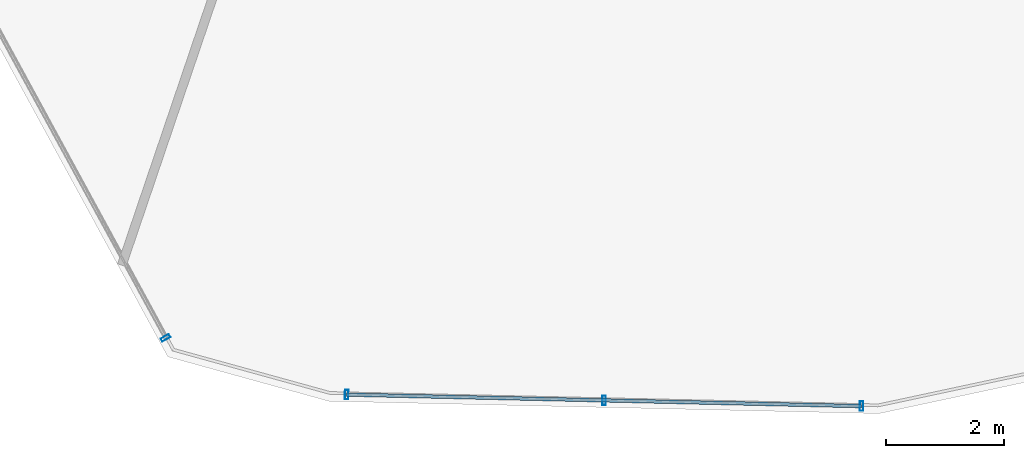
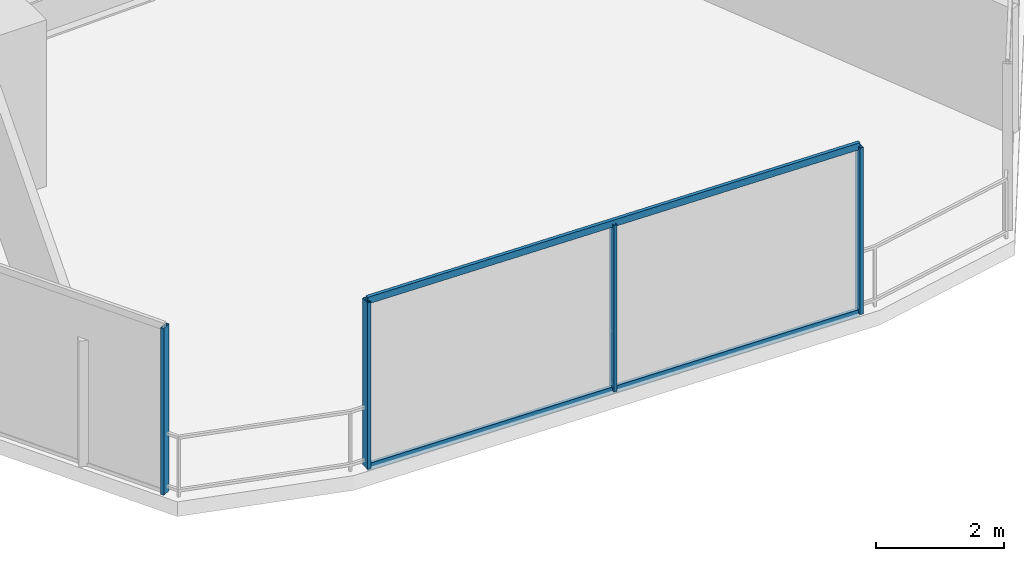
# One storey, part 4 of 30: 6 members, 2 elements without a shape of their own.
"""IFC4 building model written with IfcOpenShell, lengths in metres."""

import ifcopenshell
import ifcopenshell.guid

model = None  # the IFC model being written
_history = None  # IfcOwnerHistory: only IFC2X3 demands one
_inside = {}  # id of a spatial element -> (the spatial element, [elements in it])
_under = {}  # id of a project, library or spatial element -> (it, [spatial elements below it])
_declared = {}  # id of a project -> (the project, [libraries it declares])
_typed = {}  # id of a type object -> (the type object, [elements of that type])
_made_of = {}  # id of a material, layer set ... -> (it, [elements and type objects made of it])


def new_model(schema):
    """Start an empty IFC model of exactly this schema.

    Asked for "IFC4X3", IfcOpenShell would pick the latest addendum, in which some entities
    have other attributes; the version numbers below select the first issue.
    IFC2X3 requires an IfcOwnerHistory on every rooted entity: one is made here for all.
    """
    global model, _history
    if schema == "IFC4X3":
        model = ifcopenshell.file(schema_version=(4, 3, 0, 0))
    else:
        model = ifcopenshell.file(schema=schema)
    _inside.clear()
    _under.clear()
    _declared.clear()
    _typed.clear()
    _made_of.clear()
    _history = None
    if model.schema == "IFC2X3":
        org = make("IfcOrganization", Name="unknown")
        user = make(
            "IfcPersonAndOrganization",
            ThePerson=make("IfcPerson", FamilyName="unknown"),
            TheOrganization=org,
        )
        app = make(
            "IfcApplication",
            ApplicationDeveloper=org,
            Version="unknown",
            ApplicationFullName="unknown",
            ApplicationIdentifier="unknown",
        )
        _history = make(
            "IfcOwnerHistory",
            OwningUser=user,
            OwningApplication=app,
            ChangeAction="ADDED",
            CreationDate=0,
        )
    return model


def make(cls, **values):
    """One entity of the class cls with the attributes given. An attribute that is None is left unset."""
    return model.create_entity(
        cls, **{name: value for name, value in values.items() if value is not None}
    )


def rooted(cls, **values):
    """An entity with a GlobalId (a new one), such as an element, a storey or a relation."""
    return make(cls, GlobalId=ifcopenshell.guid.new(), OwnerHistory=_history, **values)


def si_unit(unit_type, name, prefix=None):
    """IfcSIUnit, for example si_unit("LENGTHUNIT", "METRE", prefix="MILLI")."""
    return make("IfcSIUnit", UnitType=unit_type, Prefix=prefix, Name=name)


def assignment(units):
    """IfcUnitAssignment: the units of a project."""
    return None if units is None else make("IfcUnitAssignment", Units=units)


def point(xyz):
    """IfcCartesianPoint."""
    return None if xyz is None else make("IfcCartesianPoint", Coordinates=xyz)


def direction(xyz):
    """IfcDirection."""
    return None if xyz is None else make("IfcDirection", DirectionRatios=xyz)


def frame(location, z_axis=None, x_axis=None):
    """IfcAxis2Placement3D, a coordinate frame: its origin and axes. An axis left out is left unset."""
    return make(
        "IfcAxis2Placement3D",
        Location=point(location),
        Axis=direction(z_axis),
        RefDirection=direction(x_axis),
    )


def frame_2d(location, x_axis=None):
    """IfcAxis2Placement2D, a coordinate frame in the plane: its origin and x axis."""
    return make(
        "IfcAxis2Placement2D", Location=point(location), RefDirection=direction(x_axis)
    )


def origin():
    """The frame at (0, 0, 0) with its axes left unset."""
    return frame((0.0, 0.0, 0.0))


def origin_2d():
    """The frame at (0, 0) in the plane with its x axis left unset."""
    return frame_2d((0.0, 0.0))


def place(relative_to, where):
    """IfcLocalPlacement: puts the frame where relative to a parent placement (None: the world)."""
    return make(
        "IfcLocalPlacement", PlacementRelTo=relative_to, RelativePlacement=where
    )


def context(
    kind, dimensions, precision=None, world=None, true_north=None, identifier=None
):
    """IfcGeometricRepresentationContext, for example the 3D "Model" context."""
    return make(
        "IfcGeometricRepresentationContext",
        ContextIdentifier=identifier,
        ContextType=kind,
        CoordinateSpaceDimension=dimensions,
        Precision=precision,
        WorldCoordinateSystem=world,
        TrueNorth=true_north,
    )


def subcontext(parent, identifier, kind, view, scale=None):
    """IfcGeometricRepresentationSubContext, for example "Body" below "Model"."""
    return make(
        "IfcGeometricRepresentationSubContext",
        ContextIdentifier=identifier,
        ContextType=kind,
        ParentContext=parent,
        TargetScale=scale,
        TargetView=view,
    )


def project(units=None, contexts=None):
    """IfcProject with its units and contexts."""
    return rooted(
        "IfcProject",
        Name="project",
        RepresentationContexts=contexts,
        UnitsInContext=assignment(units),
    )


def spatial(cls, under=None, at=None, **own):
    """A site, building, storey or space (cls), placed at a placement, below another one or the project."""
    s = rooted(cls, ObjectPlacement=at, **own)
    if under is not None:
        _under.setdefault(under.id(), (under, []))[1].append(s)
    return s


def profile(cls, at=None, kind="AREA", **sizes):
    """A parametric profile (cls). Its sizes go by their IFC names, for example OverallWidth=200.0."""
    return make(cls, ProfileType=kind, Position=at, **sizes)


def hollow_rectangle(**sizes):
    """IfcRectangleHollowProfileDef."""
    return profile("IfcRectangleHollowProfileDef", **sizes)


def extrude(swept, where, along, depth):
    """IfcExtrudedAreaSolid: the profile swept, set in the frame where, extruded along a direction by depth."""
    return make(
        "IfcExtrudedAreaSolid",
        SweptArea=swept,
        Position=where,
        ExtrudedDirection=direction(along),
        Depth=depth,
    )


def shape(context_of_items, identifier, shape_type, items):
    """IfcShapeRepresentation: the items that make up one representation, for example the "Body"."""
    return make(
        "IfcShapeRepresentation",
        ContextOfItems=context_of_items,
        RepresentationIdentifier=identifier,
        RepresentationType=shape_type,
        Items=items,
    )


def material(Name=None, Category=None):
    """IfcMaterial."""
    return make("IfcMaterial", Name=Name, Category=Category)


def layer(
    of_material, thickness, ventilated=None, Name=None, Category=None, Priority=None
):
    """IfcMaterialLayer: one layer of a wall or slab, of a material (None: an air gap)."""
    return make(
        "IfcMaterialLayer",
        Material=of_material,
        LayerThickness=thickness,
        IsVentilated=ventilated,
        Name=Name,
        Category=Category,
        Priority=Priority,
    )


def layer_set(layers, Name=None):
    """IfcMaterialLayerSet."""
    return make("IfcMaterialLayerSet", MaterialLayers=layers, LayerSetName=Name)


def material_profile(
    of_material, cross_section, Name=None, Category=None, Priority=None
):
    """IfcMaterialProfile: a cross section and its material."""
    return make(
        "IfcMaterialProfile",
        Name=Name,
        Material=of_material,
        Profile=cross_section,
        Priority=Priority,
        Category=Category,
    )


def profile_set(profiles, Name=None, composite=None):
    """IfcMaterialProfileSet."""
    return make(
        "IfcMaterialProfileSet",
        Name=Name,
        MaterialProfiles=profiles,
        CompositeProfile=composite,
    )


def made_of(thing, what):
    """Note that an element or type object is made of a material, layer set ...; save() writes the relation."""
    if what is not None:
        _made_of.setdefault(what.id(), (what, []))[1].append(thing)
    return thing


def type_object(cls, material=None, **own):
    """A type object (cls), such as IfcWallType, which elements share."""
    return made_of(rooted(cls, **own), material)


def element(
    cls,
    number,
    at=None,
    inside=None,
    cuts=None,
    type_object=None,
    material=None,
    context=None,
    identifier="Body",
    shape_type=None,
    held_by="IfcProductDefinitionShape",
    body=None,
    shapes=None,
    **own,
):
    """One element of the class cls, such as IfcWall. Its Tag is "e" and its number.

    at: its placement. inside: the storey or other place that contains it. cuts: it is an
    opening in that element (IfcRelVoidsElement). A single representation is given by context,
    identifier, shape_type and body (its items); several are given by shapes. held_by: the class
    of the entity that holds the representations. save() writes the other relations.
    """
    e = rooted(cls, Tag="e%d" % number, ObjectPlacement=at, **own)
    if body is not None:
        shapes = [shape(context, identifier, shape_type, body)]
    if shapes is not None:
        e.Representation = make(held_by, Representations=shapes)
    if inside is not None:
        _inside.setdefault(inside.id(), (inside, []))[1].append(e)
    if cuts is not None:
        rooted(
            "IfcRelVoidsElement", RelatingBuildingElement=cuts, RelatedOpeningElement=e
        )
    if type_object is not None:
        _typed.setdefault(type_object.id(), (type_object, []))[1].append(e)
    return made_of(e, material)


def aggregate(whole, parts):
    """IfcRelAggregates: a whole, such as a stair, and the parts it consists of."""
    return rooted("IfcRelAggregates", RelatingObject=whole, RelatedObjects=parts)


def save(model, path):
    """Write the relations noted so far, then the file.

    IfcRelAggregates (storeys below a building ...), IfcRelContainedInSpatialStructure (elements
    in a storey), IfcRelDefinesByType, IfcRelAssociatesMaterial and IfcRelDeclares: one each for
    every whole, place, type object, material and project.
    """
    for whole, parts in _under.values():
        aggregate(whole, parts)
    for where, things in _inside.values():
        rooted(
            "IfcRelContainedInSpatialStructure",
            RelatedElements=things,
            RelatingStructure=where,
        )
    for kind, things in _typed.values():
        rooted("IfcRelDefinesByType", RelatedObjects=things, RelatingType=kind)
    for what, things in _made_of.values():
        rooted("IfcRelAssociatesMaterial", RelatedObjects=things, RelatingMaterial=what)
    for by, libraries in _declared.values():
        rooted("IfcRelDeclares", RelatingContext=by, RelatedDefinitions=libraries)
    model.write(path)


model = new_model("IFC4")

# Units and contexts
model_context = context("Model", 3, precision=1e-05, world=origin(), true_north=direction((0.0, 1.0)))
body_context = subcontext(model_context, "Body", "Model", "MODEL_VIEW")
ifc_project = project(units=[si_unit("LENGTHUNIT", "METRE"), si_unit("AREAUNIT", "SQUARE_METRE"), si_unit("VOLUMEUNIT", "CUBIC_METRE"), si_unit("PLANEANGLEUNIT", "RADIAN"), si_unit("MASSUNIT", "GRAM", prefix="KILO")], contexts=[model_context])

# Site, building, storey
site_placement = place(None, origin())
site = spatial("IfcSite", under=ifc_project, at=site_placement, CompositionType="ELEMENT")
building_placement = place(site_placement, origin())
building = spatial("IfcBuilding", under=site, at=building_placement, Name="Qarnah Convention Tower", CompositionType="ELEMENT")
storey_placement = place(building_placement, frame((0.0, 0.0, 61.5)))
storey = spatial("IfcBuildingStorey", under=building, at=storey_placement, Name="L15", CompositionType="ELEMENT", Elevation=61.5)

# Curtain wall, member
ifc_material_1 = material(Name="Tempered Low-E dark glass", Category="glass")
ifc_layer = layer(ifc_material_1, 0.16796875)
ifc_layer_set = layer_set([ifc_layer], Name="Tempered Low-E dark glass")
curtain_wall_type = type_object("IfcCurtainWallType", Name="CWS-01", PredefinedType="NOTDEFINED", material=ifc_layer_set)
curtain_wall_1_placement = place(storey_placement, origin())
curtain_wall_1 = element("IfcCurtainWall", 1, at=curtain_wall_1_placement, inside=storey, type_object=curtain_wall_type, Name="L15 unitised curtain wall CW-L15-F3", PredefinedType="NOTDEFINED")
ifc_material_2 = material(Name="Black anodised aluminium", Category="aluminium")
ifc_material_profile_1 = material_profile(ifc_material_2, hollow_rectangle(XDim=0.06005859375, YDim=0.159912109375, WallThickness=0.00390625, at=origin_2d()), Name="MUL-60X160")
ifc_profile_set_1 = profile_set([ifc_material_profile_1], Name="Black anodised aluminium")
member_type_1 = type_object("IfcMemberType", Name="MUL-T1", PredefinedType="MULLION", material=ifc_profile_set_1)
member_1_placement = place(storey_placement, frame((30.177978515625, 1.886962890625, 0.0), z_axis=(0.0, 0.0, 1.0), x_axis=(-0.478066483935, 0.878323651588, 0.0)))
member_1 = element("IfcMember", 2, at=member_1_placement, type_object=member_type_1, Name="CW-L15-F3 mullion 1", PredefinedType="MULLION", context=body_context, shape_type="SweptSolid", body=[
    extrude(hollow_rectangle(XDim=0.06005859375, YDim=0.159912109375, WallThickness=0.00390625, at=origin_2d()), origin(), (0.0, 0.0, 1.0), 3.169921875),
])
aggregate(curtain_wall_1, [member_1])

# Curtain wall, members
curtain_wall_2_placement = place(storey_placement, origin())
curtain_wall_2 = element("IfcCurtainWall", 3, at=curtain_wall_2_placement, inside=storey, type_object=curtain_wall_type, Name="L15 unitised curtain wall CW-L15-F4", PredefinedType="NOTDEFINED")
member_2_placement = place(storey_placement, frame((42.006103515625, 0.72705078125, 0.0), z_axis=(0.0, 0.0, 1.0), x_axis=(-0.99974921432, 0.022394384696, 0.0)))
member_2 = element("IfcMember", 4, at=member_2_placement, type_object=member_type_1, Name="CW-L15-F4 mullion 1", PredefinedType="MULLION", context=body_context, shape_type="SweptSolid", body=[
    extrude(hollow_rectangle(XDim=0.06005859375, YDim=0.159912109375, WallThickness=0.00390625, at=origin_2d()), origin(), (0.0, 0.0, 1.0), 3.169921875),
])
member_3_placement = place(storey_placement, frame((37.631103515625, 0.824951171875, 0.0), z_axis=(0.0, 0.0, 1.0), x_axis=(-0.99974921432, 0.022394384696, 0.0)))
member_3 = element("IfcMember", 5, at=member_3_placement, type_object=member_type_1, Name="CW-L15-F4 mullion 2", PredefinedType="MULLION", context=body_context, shape_type="SweptSolid", body=[
    extrude(hollow_rectangle(XDim=0.06005859375, YDim=0.159912109375, WallThickness=0.00390625, at=origin_2d()), origin(), (0.0, 0.0, 1.0), 3.169921875),
])
member_4_placement = place(storey_placement, frame((33.256103515625, 0.923095703125, 0.0), z_axis=(0.0, 0.0, 1.0), x_axis=(-0.99974921432, 0.022394384696, 0.0)))
member_4 = element("IfcMember", 6, at=member_4_placement, type_object=member_type_1, Name="CW-L15-F4 mullion 3", PredefinedType="MULLION", context=body_context, shape_type="SweptSolid", body=[
    extrude(hollow_rectangle(XDim=0.06005859375, YDim=0.159912109375, WallThickness=0.00390625, at=origin_2d()), origin(), (0.0, 0.0, 1.0), 3.169921875),
])
ifc_material_profile_2 = material_profile(ifc_material_2, hollow_rectangle(XDim=0.06005859375, YDim=0.1298828125, WallThickness=0.00390625, at=origin_2d()), Name="TRN-60X130")
ifc_profile_set_2 = profile_set([ifc_material_profile_2], Name="Black anodised aluminium")
member_type_2 = type_object("IfcMemberType", Name="TRN-T1", PredefinedType="USERDEFINED", material=ifc_profile_set_2)
member_5_placement = place(storey_placement, frame((42.006103515625, 0.72705078125, 0.0), z_axis=(-0.999749099445, 0.022399512468, 0.0), x_axis=(-0.022399512468, -0.999749099445, 0.0)))
member_5 = element("IfcMember", 7, at=member_5_placement, type_object=member_type_2, Name="CW-L15-F4 transom 1", ObjectType="TRANSOM", PredefinedType="USERDEFINED", context=body_context, shape_type="SweptSolid", body=[
    extrude(hollow_rectangle(XDim=0.06005859375, YDim=0.1298828125, WallThickness=0.00390625, at=origin_2d()), origin(), (0.0, 0.0, 1.0), 8.752197265625),
])
member_6_placement = place(storey_placement, frame((42.006103515625, 0.72705078125, 3.169921875), z_axis=(-0.999749099445, 0.022399512468, 0.0), x_axis=(-0.022399512468, -0.999749099445, 0.0)))
member_6 = element("IfcMember", 8, at=member_6_placement, type_object=member_type_2, Name="CW-L15-F4 transom 2", ObjectType="TRANSOM", PredefinedType="USERDEFINED", context=body_context, shape_type="SweptSolid", body=[
    extrude(hollow_rectangle(XDim=0.06005859375, YDim=0.1298828125, WallThickness=0.00390625, at=origin_2d()), origin(), (0.0, 0.0, 1.0), 8.752197265625),
])
aggregate(curtain_wall_2, [member_2, member_3, member_4, member_5, member_6])

save(model, "model.ifc")
